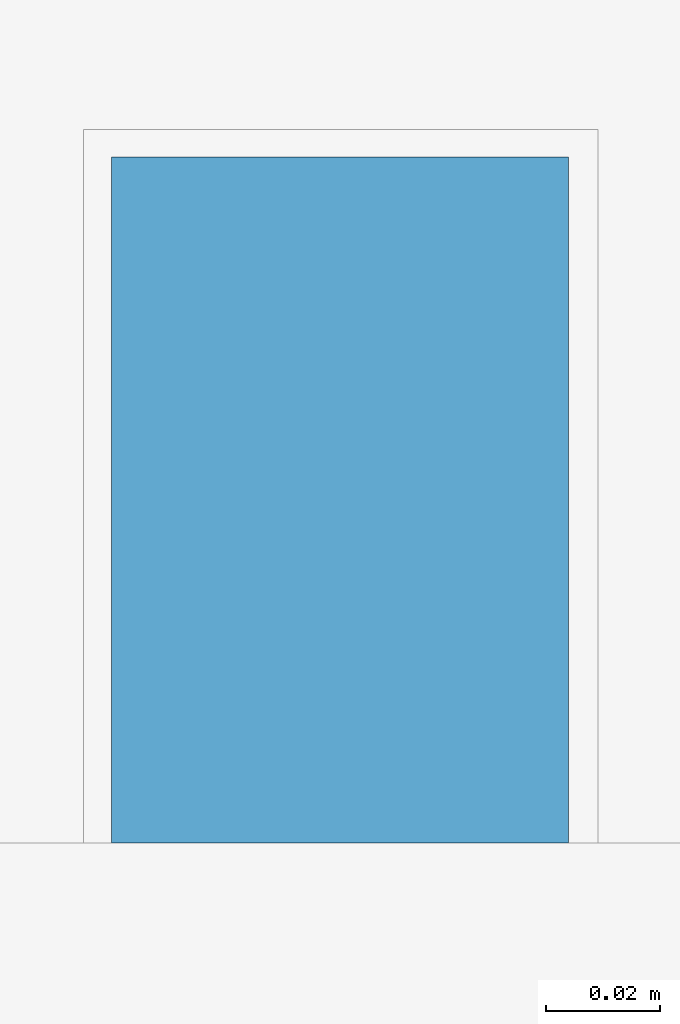
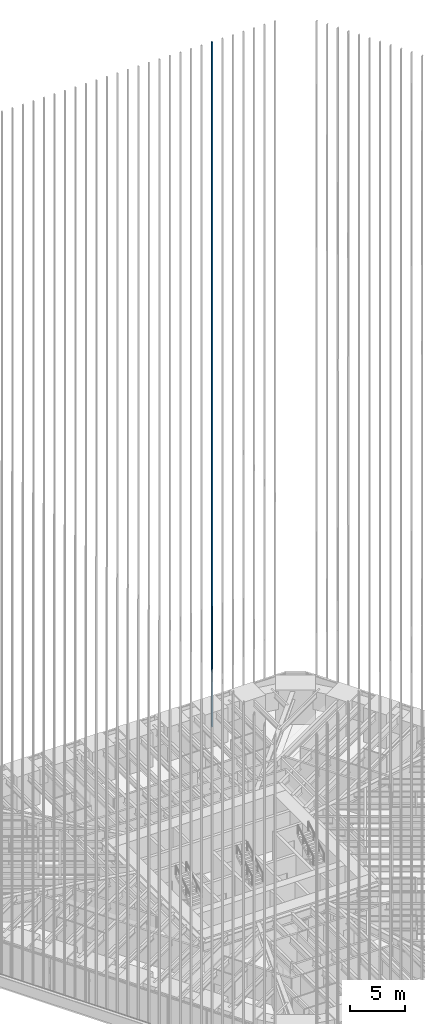
# One storey, part 211 of 238: 1 member, 1 element without a shape of its own.
"""IFC4 building model written with IfcOpenShell, lengths in metres."""

from ifc_helpers import new_model, si_unit, direction, frame, origin, origin_2d, place, context, subcontext, project, spatial, rectangle, extrude, material, material_profile, profile_set, type_object, element, aggregate, save


model = new_model("IFC4")

# Units and contexts
model_context = context("Model", 3, precision=1e-05, world=origin(), true_north=direction((0.0, 1.0)))
body_context = subcontext(model_context, "Body", "Model", "MODEL_VIEW")
ifc_project = project(units=[si_unit("LENGTHUNIT", "METRE"), si_unit("AREAUNIT", "SQUARE_METRE"), si_unit("VOLUMEUNIT", "CUBIC_METRE"), si_unit("PLANEANGLEUNIT", "RADIAN"), si_unit("MASSUNIT", "GRAM", prefix="KILO")], contexts=[model_context])

# Site, building, storey
site_placement = place(None, origin())
site = spatial("IfcSite", under=ifc_project, at=site_placement, CompositionType="ELEMENT")
building_placement = place(site_placement, origin())
building = spatial("IfcBuilding", under=site, at=building_placement, Name="Sandreach Pilgrim Tower", CompositionType="ELEMENT")
storey_placement = place(building_placement, frame((0.0, 0.0, 96.800048828125)))
storey = spatial("IfcBuildingStorey", under=building, at=storey_placement, Name="L23", CompositionType="ELEMENT", Elevation=96.800048828125)

# Curtain wall, member
ifc_material_1 = material(Name="Aluminium framed curtain wall", Category="aluminium")
curtain_wall_type = type_object("IfcCurtainWallType", Name="Hotel tower curtain wall", PredefinedType="NOTDEFINED", material=ifc_material_1)
curtain_wall_placement = place(storey_placement, origin())
curtain_wall = element("IfcCurtainWall", 1, at=curtain_wall_placement, inside=storey, type_object=curtain_wall_type, Name="CW-2 L23 N", PredefinedType="NOTDEFINED")
ifc_material_2 = material(Name="Extruded terracotta on aluminium core", Category="masonry")
ifc_material_profile = material_profile(ifc_material_2, rectangle(XDim=0.080078125, YDim=0.1201171875, at=origin_2d()), Name="TBN 80X120")
ifc_profile_set = profile_set([ifc_material_profile], Name="Extruded terracotta on aluminium core")
member_type = type_object("IfcMemberType", Name="Terracotta baguette north", PredefinedType="USERDEFINED", material=ifc_profile_set)
member_placement = place(storey_placement, frame((10.99365234375, 22.853759765625, 0.0), z_axis=(0.0, 0.0, 1.0), x_axis=(1.0, 0.0, 0.0)))
member = element("IfcMember", 2, at=member_placement, type_object=member_type, Name="Baguette Z2 N27", ObjectType="BAGUETTE", PredefinedType="USERDEFINED", context=body_context, shape_type="SweptSolid", body=[
    extrude(rectangle(XDim=0.080078125, YDim=0.1201171875, at=origin_2d()), origin(), (0.0, 0.0, 1.0), 75.83984375),
])
aggregate(curtain_wall, [member])

save(model, "model.ifc")
